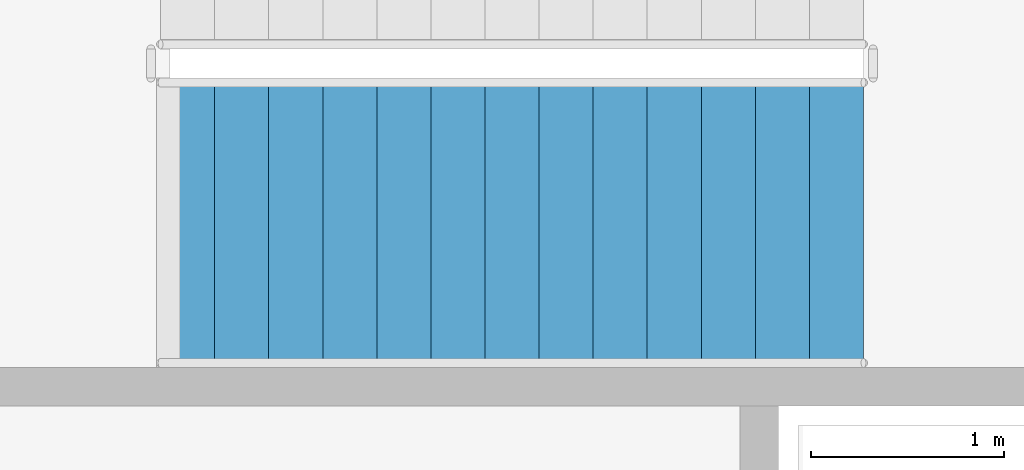
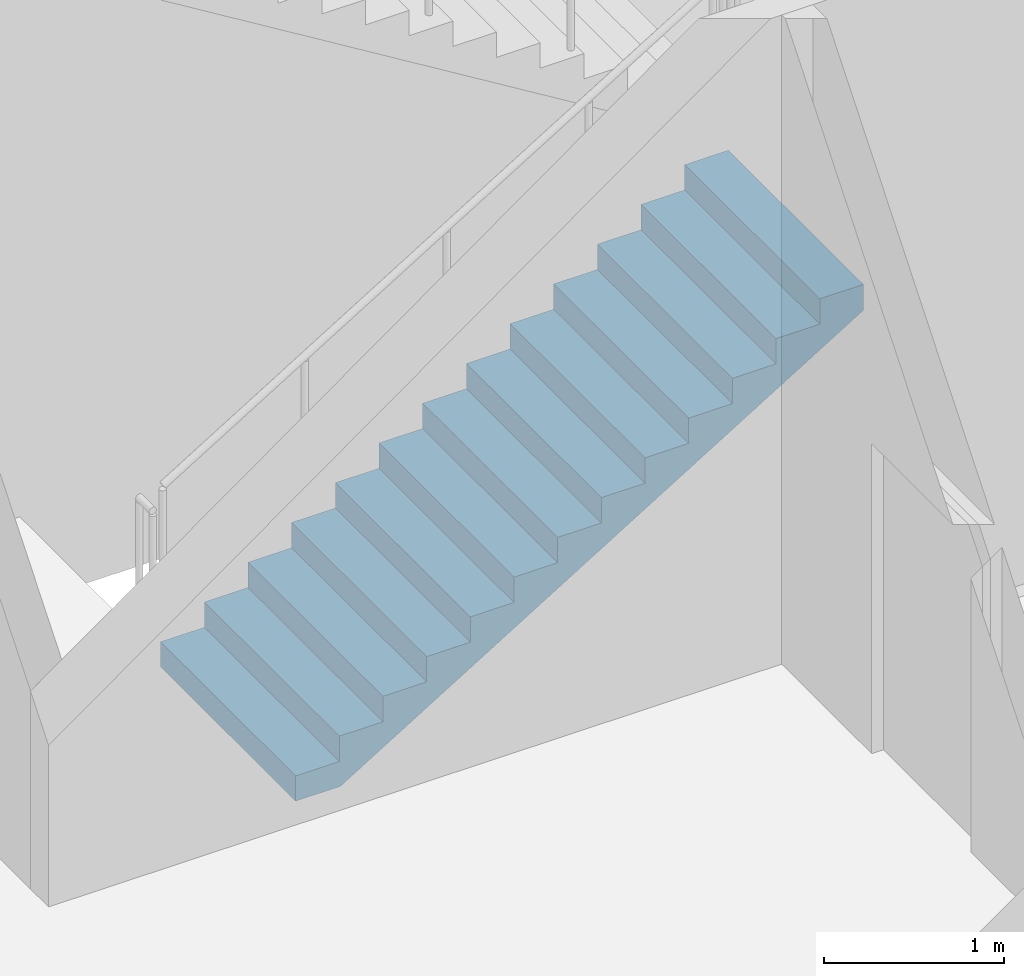
# One storey, part 61 of 91: 1 stair flight, 1 element without a shape of its own.
"""IFC4 building model written with IfcOpenShell, lengths in metres."""

from ifc_helpers import new_model, si_unit, direction, frame, origin, place, context, subcontext, project, spatial, triangles, material, type_object, element, aggregate, save


model = new_model("IFC4")

# Units and contexts
model_context = context("Model", 3, precision=1e-05, world=origin(), true_north=direction((0.0, 1.0)))
body_context = subcontext(model_context, "Body", "Model", "MODEL_VIEW")
ifc_project = project(units=[si_unit("LENGTHUNIT", "METRE"), si_unit("AREAUNIT", "SQUARE_METRE"), si_unit("VOLUMEUNIT", "CUBIC_METRE"), si_unit("PLANEANGLEUNIT", "RADIAN"), si_unit("MASSUNIT", "GRAM", prefix="KILO")], contexts=[model_context])

# Site, building, storey
site_placement = place(None, origin())
site = spatial("IfcSite", under=ifc_project, at=site_placement, CompositionType="ELEMENT")
building_placement = place(site_placement, origin())
building = spatial("IfcBuilding", under=site, at=building_placement, Name="Magnolia Steps Interchange", CompositionType="ELEMENT")
storey_placement = place(building_placement, origin())
storey = spatial("IfcBuildingStorey", under=building, at=storey_placement, Name="L00", CompositionType="ELEMENT", Elevation=0.0)

# Stair, stair flight
ifc_material_1 = material(Name="Concrete C40", Category="concrete")
stair_type = type_object("IfcStairType", Name="Exit stair 1500", PredefinedType="HALF_TURN_STAIR", material=ifc_material_1)
stair_placement = place(storey_placement, origin())
stair = element("IfcStair", 1, at=stair_placement, inside=storey, type_object=stair_type, Name="L00 Stair 7", PredefinedType="HALF_TURN_STAIR")
ifc_material_2 = material(Name="Concrete C40", Category="concrete")
stair_flight_type = type_object("IfcStairFlightType", Name="Exit stair flight", PredefinedType="STRAIGHT", material=ifc_material_2)
stair_flight_placement = place(storey_placement, frame((112.199951171875, 50.300048828125, 0.0), z_axis=(0.0, 0.0, 1.0), x_axis=(1.0, 0.0, 0.0)))
stair_flight = element("IfcStairFlight", 2, at=stair_flight_placement, type_object=stair_flight_type, Name="Stair 7 flight 1", NumberOfRisers=14, NumberOfTreads=13, PredefinedType="STRAIGHT", RiserHeight=0.171428571, TreadLength=0.28, context=body_context, shape_type="Tessellation", body=[
    triangles([(0.0, -0.75, 0.0), (0.287109375, -0.75, 0.0), (3.639892578125, -0.75, 2.052734375), (3.639892578125, -0.75, 2.228515625), (3.360107421875, -0.75, 2.228515625), (3.360107421875, -0.75, 2.05712890625), (3.080078125, -0.75, 2.05712890625), (3.080078125, -0.75, 1.8857421875), (2.800048828125, -0.75, 1.8857421875), (2.800048828125, -0.75, 1.71435546875), (2.52001953125, -0.75, 1.71435546875), (2.52001953125, -0.75, 1.54296875), (2.239990234375, -0.75, 1.54296875), (2.239990234375, -0.75, 1.371337890625), (1.9599609375, -0.75, 1.371337890625), (1.9599609375, -0.75, 1.199951171875), (1.679931640625, -0.75, 1.199951171875), (1.679931640625, -0.75, 1.028564453125), (1.39990234375, -0.75, 1.028564453125), (1.39990234375, -0.75, 0.857177734375), (1.1201171875, -0.75, 0.857177734375), (1.1201171875, -0.75, 0.685791015625), (0.840087890625, -0.75, 0.685791015625), (0.840087890625, -0.75, 0.514404296875), (0.56005859375, -0.75, 0.514404296875), (0.56005859375, -0.75, 0.3427734375), (0.280029296875, -0.75, 0.3427734375), (0.280029296875, -0.75, 0.17138671875), (0.0, -0.75, 0.17138671875), (0.0, 0.75, 0.0), (0.287109375, 0.75, 0.0), (3.639892578125, 0.75, 2.052734375), (3.639892578125, 0.75, 2.228515625), (3.360107421875, 0.75, 2.228515625), (3.360107421875, 0.75, 2.05712890625), (3.080078125, 0.75, 2.05712890625), (3.080078125, 0.75, 1.8857421875), (2.800048828125, 0.75, 1.8857421875), (2.800048828125, 0.75, 1.71435546875), (2.52001953125, 0.75, 1.71435546875), (2.52001953125, 0.75, 1.54296875), (2.239990234375, 0.75, 1.54296875), (2.239990234375, 0.75, 1.371337890625), (1.9599609375, 0.75, 1.371337890625), (1.9599609375, 0.75, 1.199951171875), (1.679931640625, 0.75, 1.199951171875), (1.679931640625, 0.75, 1.028564453125), (1.39990234375, 0.75, 1.028564453125), (1.39990234375, 0.75, 0.857177734375), (1.1201171875, 0.75, 0.857177734375), (1.1201171875, 0.75, 0.685791015625), (0.840087890625, 0.75, 0.685791015625), (0.840087890625, 0.75, 0.514404296875), (0.56005859375, 0.75, 0.514404296875), (0.56005859375, 0.75, 0.3427734375), (0.280029296875, 0.75, 0.3427734375), (0.280029296875, 0.75, 0.17138671875), (0.0, 0.75, 0.17138671875), (0.0, 0.0, 0.0), (0.0, 0.0, 0.0428466796875), (0.0, 0.0, 0.085693359375), (0.0, 0.0, 0.1285400390625), (0.0, 0.0, 0.17138671875), (0.0, -0.05, 0.0), (0.0, -0.05, 0.17138671875), (0.0, 0.05, 0.0), (0.0, 0.05, 0.17138671875), (0.046671549479166664, 0.0, 0.17138671875), (0.09334309895833333, 0.0, 0.17138671875), (0.1400146484375, 0.0, 0.17138671875), (0.18668619791666666, 0.0, 0.17138671875), (0.23335774739583334, 0.0, 0.17138671875), (0.280029296875, 0.0, 0.17138671875), (0.280029296875, -0.05, 0.17138671875), (0.280029296875, 0.05, 0.17138671875), (0.280029296875, 0.0, 0.2142333984375), (0.280029296875, 0.0, 0.257080078125), (0.280029296875, 0.0, 0.2999267578125), (0.280029296875, 0.0, 0.3427734375), (0.280029296875, -0.05, 0.3427734375), (0.280029296875, 0.05, 0.3427734375), (0.3267008463541667, 0.0, 0.3427734375), (0.3733723958333333, 0.0, 0.3427734375), (0.4200439453125, 0.0, 0.3427734375), (0.46671549479166663, 0.0, 0.3427734375), (0.5133870442708334, 0.0, 0.3427734375), (0.56005859375, 0.0, 0.3427734375), (0.56005859375, -0.05, 0.3427734375), (0.56005859375, 0.05, 0.3427734375), (0.56005859375, 0.0, 0.38568115234375), (0.56005859375, 0.0, 0.4285888671875), (0.56005859375, 0.0, 0.47149658203125), (0.56005859375, 0.0, 0.514404296875), (0.56005859375, -0.05, 0.514404296875), (0.56005859375, 0.05, 0.514404296875), (0.6067301432291666, 0.0, 0.514404296875), (0.6534016927083334, 0.0, 0.514404296875), (0.7000732421875, 0.0, 0.514404296875), (0.7467447916666666, 0.0, 0.514404296875), (0.7934163411458334, 0.0, 0.514404296875), (0.840087890625, 0.0, 0.514404296875), (0.840087890625, -0.05, 0.514404296875), (0.840087890625, 0.05, 0.514404296875), (0.840087890625, 0.0, 0.5572509765625), (0.840087890625, 0.0, 0.60009765625), (0.840087890625, 0.0, 0.6429443359375), (0.840087890625, 0.0, 0.685791015625), (0.840087890625, -0.05, 0.685791015625), (0.840087890625, 0.05, 0.685791015625), (0.8867594401041666, 0.0, 0.685791015625), (0.9334309895833334, 0.0, 0.685791015625), (0.9801025390625, 0.0, 0.685791015625), (1.0267740885416667, 0.0, 0.685791015625), (1.0734456380208333, 0.0, 0.685791015625), (1.1201171875, 0.0, 0.685791015625), (1.1201171875, -0.05, 0.685791015625), (1.1201171875, 0.05, 0.685791015625), (1.1201171875, 0.0, 0.7286376953125), (1.1201171875, 0.0, 0.771484375), (1.1201171875, 0.0, 0.8143310546875), (1.1201171875, 0.0, 0.857177734375), (1.1201171875, -0.05, 0.857177734375), (1.1201171875, 0.05, 0.857177734375), (1.1900634765625, 0.0, 0.857177734375), (1.260009765625, 0.0, 0.857177734375), (1.3299560546875, 0.0, 0.857177734375), (1.39990234375, 0.0, 0.857177734375), (1.39990234375, -0.05, 0.857177734375), (1.39990234375, 0.05, 0.857177734375), (1.39990234375, 0.0, 0.9000244140625), (1.39990234375, 0.0, 0.94287109375), (1.39990234375, 0.0, 0.9857177734375), (1.39990234375, 0.0, 1.028564453125), (1.39990234375, -0.05, 1.028564453125), (1.39990234375, 0.05, 1.028564453125), (1.4465738932291667, 0.0, 1.028564453125), (1.4932454427083333, 0.0, 1.028564453125), (1.5399169921875, 0.0, 1.028564453125), (1.5865885416666667, 0.0, 1.028564453125), (1.6332600911458333, 0.0, 1.028564453125), (1.679931640625, 0.0, 1.028564453125), (1.679931640625, -0.05, 1.028564453125), (1.679931640625, 0.05, 1.028564453125), (1.679931640625, 0.0, 1.0714111328125), (1.679931640625, 0.0, 1.1142578125), (1.679931640625, 0.0, 1.1571044921875), (1.679931640625, 0.0, 1.199951171875), (1.679931640625, -0.05, 1.199951171875), (1.679931640625, 0.05, 1.199951171875), (1.7266031901041667, 0.0, 1.199951171875), (1.7732747395833333, 0.0, 1.199951171875), (1.8199462890625, 0.0, 1.199951171875), (1.8666178385416667, 0.0, 1.199951171875), (1.9132893880208333, 0.0, 1.199951171875), (1.9599609375, 0.0, 1.199951171875), (1.9599609375, -0.05, 1.199951171875), (1.9599609375, 0.05, 1.199951171875), (1.9599609375, 0.0, 1.2427978515625), (1.9599609375, 0.0, 1.28564453125), (1.9599609375, 0.0, 1.3284912109375), (1.9599609375, 0.0, 1.371337890625), (1.9599609375, -0.05, 1.371337890625), (1.9599609375, 0.05, 1.371337890625), (2.0066324869791665, 0.0, 1.371337890625), (2.0533040364583335, 0.0, 1.371337890625), (2.0999755859375, 0.0, 1.371337890625), (2.1466471354166665, 0.0, 1.371337890625), (2.1933186848958335, 0.0, 1.371337890625), (2.239990234375, 0.0, 1.371337890625), (2.239990234375, -0.05, 1.371337890625), (2.239990234375, 0.05, 1.371337890625), (2.239990234375, 0.0, 1.41424560546875), (2.239990234375, 0.0, 1.4571533203125), (2.239990234375, 0.0, 1.50006103515625), (2.239990234375, 0.0, 1.54296875), (2.239990234375, -0.05, 1.54296875), (2.239990234375, 0.05, 1.54296875), (2.2866617838541665, 0.0, 1.54296875), (2.3333333333333335, 0.0, 1.54296875), (2.3800048828125, 0.0, 1.54296875), (2.4266764322916665, 0.0, 1.54296875), (2.4733479817708335, 0.0, 1.54296875), (2.52001953125, 0.0, 1.54296875), (2.52001953125, -0.05, 1.54296875), (2.52001953125, 0.05, 1.54296875), (2.52001953125, 0.0, 1.5858154296875), (2.52001953125, 0.0, 1.628662109375), (2.52001953125, 0.0, 1.6715087890625), (2.52001953125, 0.0, 1.71435546875), (2.52001953125, -0.05, 1.71435546875), (2.52001953125, 0.05, 1.71435546875), (2.5666910807291665, 0.0, 1.71435546875), (2.6133626302083335, 0.0, 1.71435546875), (2.6600341796875, 0.0, 1.71435546875), (2.7067057291666665, 0.0, 1.71435546875), (2.7533772786458335, 0.0, 1.71435546875), (2.800048828125, 0.0, 1.71435546875), (2.800048828125, -0.05, 1.71435546875), (2.800048828125, 0.05, 1.71435546875), (2.800048828125, 0.0, 1.7572021484375), (2.800048828125, 0.0, 1.800048828125), (2.800048828125, 0.0, 1.8428955078125), (2.800048828125, 0.0, 1.8857421875), (2.800048828125, -0.05, 1.8857421875), (2.800048828125, 0.05, 1.8857421875), (2.8467203776041665, 0.0, 1.8857421875), (2.8933919270833335, 0.0, 1.8857421875), (2.9400634765625, 0.0, 1.8857421875), (2.9867350260416665, 0.0, 1.8857421875), (3.0334065755208335, 0.0, 1.8857421875), (3.080078125, 0.0, 1.8857421875), (3.080078125, -0.05, 1.8857421875), (3.080078125, 0.05, 1.8857421875), (3.080078125, 0.0, 1.9285888671875), (3.080078125, 0.0, 1.971435546875), (3.080078125, 0.0, 2.0142822265625), (3.080078125, 0.0, 2.05712890625), (3.080078125, -0.05, 2.05712890625), (3.080078125, 0.05, 2.05712890625), (3.1267496744791665, 0.0, 2.05712890625), (3.1734212239583335, 0.0, 2.05712890625), (3.2200927734375, 0.0, 2.05712890625), (3.2667643229166665, 0.0, 2.05712890625), (3.3134358723958335, 0.0, 2.05712890625), (3.360107421875, 0.0, 2.05712890625), (3.360107421875, -0.05, 2.05712890625), (3.360107421875, 0.05, 2.05712890625), (3.360107421875, 0.0, 2.0999755859375), (3.360107421875, 0.0, 2.142822265625), (3.360107421875, 0.0, 2.1856689453125), (3.360107421875, 0.0, 2.228515625), (3.360107421875, -0.05, 2.228515625), (3.360107421875, 0.05, 2.228515625), (3.4300537109375, 0.0, 2.228515625), (3.5, 0.0, 2.228515625), (3.5699462890625, 0.0, 2.228515625), (3.639892578125, 0.0, 2.228515625), (3.639892578125, -0.05, 2.228515625), (3.639892578125, 0.05, 2.228515625), (3.639892578125, 0.0, 2.1845703125), (3.639892578125, 0.0, 2.140625), (3.639892578125, 0.0, 2.0966796875), (3.639892578125, 0.0, 2.052734375), (3.639892578125, -0.05, 2.052734375), (3.639892578125, 0.05, 2.052734375), (3.582085971174569, 0.0, 2.0173424030172415), (3.524279364224138, 0.0, 1.9819504310344827), (3.466472757273707, 0.0, 1.9465584590517242), (3.408666150323276, 0.0, 1.9111664870689655), (3.3508595433728448, 0.0, 1.8757745150862069), (3.2930529364224137, 0.0, 1.8403825431034484), (3.2352463294719827, 0.0, 1.8049905711206897), (3.1774397225215516, 0.0, 1.769598599137931), (3.1196331155711206, 0.0, 1.7342066271551724), (3.0618265086206895, 0.0, 1.6988146551724137), (3.004019901670259, 0.0, 1.6634226831896552), (2.9462132947198274, 0.0, 1.6280307112068966), (2.888406687769397, 0.0, 1.592638739224138), (2.8306000808189653, 0.0, 1.5572467672413794), (2.7727934738685347, 0.0, 1.5218547952586206), (2.714986866918103, 0.0, 1.486462823275862), (2.6571802599676726, 0.0, 1.4510708512931034), (2.599373653017241, 0.0, 1.4156788793103448), (2.5415670460668105, 0.0, 1.3802869073275863), (2.483760439116379, 0.0, 1.3448949353448276), (2.4259538321659484, 0.0, 1.309502963362069), (2.3681472252155173, 0.0, 1.2741109913793105), (2.3103406182650863, 0.0, 1.2387190193965516), (2.2525340113146552, 0.0, 1.2033270474137931), (2.194727404364224, 0.0, 1.1679350754310345), (2.136920797413793, 0.0, 1.1325431034482758), (2.079114190463362, 0.0, 1.0971511314655173), (2.021307583512931, 0.0, 1.0617591594827587), (1.9635009765625, 0.0, 1.0263671875), (1.905694369612069, 0.0, 0.9909752155172413), (1.847887762661638, 0.0, 0.9555832435344827), (1.7900811557112069, 0.0, 0.9201912715517242), (1.7322745487607758, 0.0, 0.8847992995689655), (1.6744679418103448, 0.0, 0.8494073275862069), (1.6166613348599137, 0.0, 0.8140153556034482), (1.5588547279094827, 0.0, 0.7786233836206897), (1.5010481209590516, 0.0, 0.743231411637931), (1.4432415140086206, 0.0, 0.7078394396551724), (1.3854349070581895, 0.0, 0.6724474676724137), (1.3276283001077585, 0.0, 0.6370554956896552), (1.2698216931573274, 0.0, 0.6016635237068966), (1.2120150862068964, 0.0, 0.5662715517241379), (1.1542084792564653, 0.0, 0.5308795797413792), (1.0964018723060347, 0.0, 0.4954876077586208), (1.0385952653556036, 0.0, 0.4600956357758621), (0.9807886584051726, 0.0, 0.4247036637931034), (0.9229820514547415, 0.0, 0.38931169181034475), (0.8651754445043105, 0.0, 0.3539197198275863), (0.8073688375538794, 0.0, 0.3185277478448276), (0.7495622306034484, 0.0, 0.28313577586206895), (0.6917556236530173, 0.0, 0.24774380387931028), (0.6339490167025863, 0.0, 0.21235183189655182), (0.5761424097521552, 0.0, 0.17695985991379315), (0.5183358028017242, 0.0, 0.14156788793103448), (0.46052919585129315, 0.0, 0.1061759159482758), (0.4027225889008621, 0.0, 0.07078394396551735), (0.34491598195043105, 0.0, 0.03539197198275845), (0.287109375, 0.0, 0.0), (0.287109375, -0.05, 0.0), (0.287109375, 0.05, 0.0), (0.2392578125, 0.0, 0.0), (0.19140625, 0.0, 0.0), (0.1435546875, 0.0, 0.0), (0.095703125, 0.0, 0.0), (0.0478515625, 0.0, 0.0)], [[1, 2, 3], [3, 4, 5], [3, 5, 6], [3, 6, 7], [3, 7, 8], [8, 9, 10], [3, 8, 10], [10, 11, 12], [3, 10, 12], [12, 13, 14], [3, 12, 14], [14, 15, 16], [3, 14, 16], [16, 17, 18], [3, 16, 18], [18, 19, 20], [3, 18, 20], [20, 21, 22], [3, 20, 22], [22, 23, 24], [3, 22, 24], [24, 25, 26], [3, 24, 26], [26, 27, 28], [3, 26, 28], [1, 3, 28], [28, 29, 1], [30, 32, 31], [32, 34, 33], [32, 35, 34], [32, 36, 35], [32, 37, 36], [37, 39, 38], [32, 39, 37], [39, 41, 40], [32, 41, 39], [41, 43, 42], [32, 43, 41], [43, 45, 44], [32, 45, 43], [45, 47, 46], [32, 47, 45], [47, 49, 48], [32, 49, 47], [49, 51, 50], [32, 51, 49], [51, 53, 52], [32, 53, 51], [53, 55, 54], [32, 55, 53], [55, 57, 56], [32, 57, 55], [30, 57, 32], [57, 30, 58], [1, 29, 65], [1, 65, 64], [64, 60, 59], [64, 61, 60], [64, 65, 61], [65, 62, 61], [65, 63, 62], [30, 67, 58], [30, 66, 67], [66, 59, 60], [66, 60, 61], [66, 61, 67], [67, 61, 62], [67, 62, 63], [29, 28, 74], [29, 74, 65], [65, 68, 63], [65, 69, 68], [65, 70, 69], [65, 74, 70], [74, 71, 70], [74, 72, 71], [74, 73, 72], [58, 75, 57], [58, 67, 75], [67, 63, 68], [67, 68, 69], [67, 69, 70], [67, 70, 75], [75, 70, 71], [75, 71, 72], [75, 72, 73], [28, 27, 80], [28, 80, 74], [74, 76, 73], [74, 77, 76], [74, 80, 77], [80, 78, 77], [80, 79, 78], [57, 81, 56], [57, 75, 81], [75, 73, 76], [75, 76, 77], [75, 77, 81], [81, 77, 78], [81, 78, 79], [27, 26, 88], [27, 88, 80], [80, 82, 79], [80, 83, 82], [80, 84, 83], [80, 88, 84], [88, 85, 84], [88, 86, 85], [88, 87, 86], [56, 89, 55], [56, 81, 89], [81, 79, 82], [81, 82, 83], [81, 83, 84], [81, 84, 89], [89, 84, 85], [89, 85, 86], [89, 86, 87], [26, 25, 94], [26, 94, 88], [88, 90, 87], [88, 91, 90], [88, 94, 91], [94, 92, 91], [94, 93, 92], [55, 95, 54], [55, 89, 95], [89, 87, 90], [89, 90, 91], [89, 91, 95], [95, 91, 92], [95, 92, 93], [25, 24, 102], [25, 102, 94], [94, 96, 93], [94, 97, 96], [94, 98, 97], [94, 102, 98], [102, 99, 98], [102, 100, 99], [102, 101, 100], [54, 103, 53], [54, 95, 103], [95, 93, 96], [95, 96, 97], [95, 97, 98], [95, 98, 103], [103, 98, 99], [103, 99, 100], [103, 100, 101], [24, 23, 108], [24, 108, 102], [102, 104, 101], [102, 105, 104], [102, 108, 105], [108, 106, 105], [108, 107, 106], [53, 109, 52], [53, 103, 109], [103, 101, 104], [103, 104, 105], [103, 105, 109], [109, 105, 106], [109, 106, 107], [23, 22, 116], [23, 116, 108], [108, 110, 107], [108, 111, 110], [108, 112, 111], [108, 116, 112], [116, 113, 112], [116, 114, 113], [116, 115, 114], [52, 117, 51], [52, 109, 117], [109, 107, 110], [109, 110, 111], [109, 111, 112], [109, 112, 117], [117, 112, 113], [117, 113, 114], [117, 114, 115], [22, 21, 122], [22, 122, 116], [116, 118, 115], [116, 119, 118], [116, 122, 119], [122, 120, 119], [122, 121, 120], [51, 123, 50], [51, 117, 123], [117, 115, 118], [117, 118, 119], [117, 119, 123], [123, 119, 120], [123, 120, 121], [21, 20, 128], [21, 128, 122], [122, 124, 121], [122, 125, 124], [122, 128, 125], [128, 126, 125], [128, 127, 126], [50, 129, 49], [50, 123, 129], [123, 121, 124], [123, 124, 125], [123, 125, 129], [129, 125, 126], [129, 126, 127], [20, 19, 134], [20, 134, 128], [128, 130, 127], [128, 131, 130], [128, 134, 131], [134, 132, 131], [134, 133, 132], [49, 135, 48], [49, 129, 135], [129, 127, 130], [129, 130, 131], [129, 131, 135], [135, 131, 132], [135, 132, 133], [19, 18, 142], [19, 142, 134], [134, 136, 133], [134, 137, 136], [134, 138, 137], [134, 142, 138], [142, 139, 138], [142, 140, 139], [142, 141, 140], [48, 143, 47], [48, 135, 143], [135, 133, 136], [135, 136, 137], [135, 137, 138], [135, 138, 143], [143, 138, 139], [143, 139, 140], [143, 140, 141], [18, 17, 148], [18, 148, 142], [142, 144, 141], [142, 145, 144], [142, 148, 145], [148, 146, 145], [148, 147, 146], [47, 149, 46], [47, 143, 149], [143, 141, 144], [143, 144, 145], [143, 145, 149], [149, 145, 146], [149, 146, 147], [17, 16, 156], [17, 156, 148], [148, 150, 147], [148, 151, 150], [148, 152, 151], [148, 156, 152], [156, 153, 152], [156, 154, 153], [156, 155, 154], [46, 157, 45], [46, 149, 157], [149, 147, 150], [149, 150, 151], [149, 151, 152], [149, 152, 157], [157, 152, 153], [157, 153, 154], [157, 154, 155], [16, 15, 162], [16, 162, 156], [156, 158, 155], [156, 159, 158], [156, 162, 159], [162, 160, 159], [162, 161, 160], [45, 163, 44], [45, 157, 163], [157, 155, 158], [157, 158, 159], [157, 159, 163], [163, 159, 160], [163, 160, 161], [15, 14, 170], [15, 170, 162], [162, 164, 161], [162, 165, 164], [162, 166, 165], [162, 170, 166], [170, 167, 166], [170, 168, 167], [170, 169, 168], [44, 171, 43], [44, 163, 171], [163, 161, 164], [163, 164, 165], [163, 165, 166], [163, 166, 171], [171, 166, 167], [171, 167, 168], [171, 168, 169], [14, 13, 176], [14, 176, 170], [170, 172, 169], [170, 173, 172], [170, 176, 173], [176, 174, 173], [176, 175, 174], [43, 177, 42], [43, 171, 177], [171, 169, 172], [171, 172, 173], [171, 173, 177], [177, 173, 174], [177, 174, 175], [13, 12, 184], [13, 184, 176], [176, 178, 175], [176, 179, 178], [176, 180, 179], [176, 184, 180], [184, 181, 180], [184, 182, 181], [184, 183, 182], [42, 185, 41], [42, 177, 185], [177, 175, 178], [177, 178, 179], [177, 179, 180], [177, 180, 185], [185, 180, 181], [185, 181, 182], [185, 182, 183], [12, 11, 190], [12, 190, 184], [184, 186, 183], [184, 187, 186], [184, 190, 187], [190, 188, 187], [190, 189, 188], [41, 191, 40], [41, 185, 191], [185, 183, 186], [185, 186, 187], [185, 187, 191], [191, 187, 188], [191, 188, 189], [11, 10, 198], [11, 198, 190], [190, 192, 189], [190, 193, 192], [190, 194, 193], [190, 198, 194], [198, 195, 194], [198, 196, 195], [198, 197, 196], [40, 199, 39], [40, 191, 199], [191, 189, 192], [191, 192, 193], [191, 193, 194], [191, 194, 199], [199, 194, 195], [199, 195, 196], [199, 196, 197], [10, 9, 204], [10, 204, 198], [198, 200, 197], [198, 201, 200], [198, 204, 201], [204, 202, 201], [204, 203, 202], [39, 205, 38], [39, 199, 205], [199, 197, 200], [199, 200, 201], [199, 201, 205], [205, 201, 202], [205, 202, 203], [9, 8, 212], [9, 212, 204], [204, 206, 203], [204, 207, 206], [204, 208, 207], [204, 212, 208], [212, 209, 208], [212, 210, 209], [212, 211, 210], [38, 213, 37], [38, 205, 213], [205, 203, 206], [205, 206, 207], [205, 207, 208], [205, 208, 213], [213, 208, 209], [213, 209, 210], [213, 210, 211], [8, 7, 218], [8, 218, 212], [212, 214, 211], [212, 215, 214], [212, 218, 215], [218, 216, 215], [218, 217, 216], [37, 219, 36], [37, 213, 219], [213, 211, 214], [213, 214, 215], [213, 215, 219], [219, 215, 216], [219, 216, 217], [7, 6, 226], [7, 226, 218], [218, 220, 217], [218, 221, 220], [218, 222, 221], [218, 226, 222], [226, 223, 222], [226, 224, 223], [226, 225, 224], [36, 227, 35], [36, 219, 227], [219, 217, 220], [219, 220, 221], [219, 221, 222], [219, 222, 227], [227, 222, 223], [227, 223, 224], [227, 224, 225], [6, 5, 232], [6, 232, 226], [226, 228, 225], [226, 229, 228], [226, 232, 229], [232, 230, 229], [232, 231, 230], [35, 233, 34], [35, 227, 233], [227, 225, 228], [227, 228, 229], [227, 229, 233], [233, 229, 230], [233, 230, 231], [5, 4, 238], [5, 238, 232], [232, 234, 231], [232, 235, 234], [232, 238, 235], [238, 236, 235], [238, 237, 236], [34, 239, 33], [34, 233, 239], [233, 231, 234], [233, 234, 235], [233, 235, 239], [239, 235, 236], [239, 236, 237], [4, 3, 244], [4, 244, 238], [238, 240, 237], [238, 241, 240], [238, 244, 241], [244, 242, 241], [244, 243, 242], [33, 245, 32], [33, 239, 245], [239, 237, 240], [239, 240, 241], [239, 241, 245], [245, 241, 242], [245, 242, 243], [3, 2, 304], [3, 304, 244], [244, 246, 243], [244, 247, 246], [244, 248, 247], [244, 249, 248], [244, 250, 249], [244, 251, 250], [244, 252, 251], [244, 253, 252], [244, 254, 253], [244, 255, 254], [244, 256, 255], [244, 257, 256], [244, 258, 257], [244, 259, 258], [244, 260, 259], [244, 261, 260], [244, 262, 261], [244, 263, 262], [244, 264, 263], [244, 265, 264], [244, 266, 265], [244, 267, 266], [244, 268, 267], [244, 269, 268], [244, 270, 269], [244, 271, 270], [244, 272, 271], [244, 273, 272], [244, 274, 273], [244, 304, 274], [304, 275, 274], [304, 276, 275], [304, 277, 276], [304, 278, 277], [304, 279, 278], [304, 280, 279], [304, 281, 280], [304, 282, 281], [304, 283, 282], [304, 284, 283], [304, 285, 284], [304, 286, 285], [304, 287, 286], [304, 288, 287], [304, 289, 288], [304, 290, 289], [304, 291, 290], [304, 292, 291], [304, 293, 292], [304, 294, 293], [304, 295, 294], [304, 296, 295], [304, 297, 296], [304, 298, 297], [304, 299, 298], [304, 300, 299], [304, 301, 300], [304, 302, 301], [304, 303, 302], [32, 305, 31], [32, 245, 305], [245, 243, 246], [245, 246, 247], [245, 247, 248], [245, 248, 249], [245, 249, 250], [245, 250, 251], [245, 251, 252], [245, 252, 253], [245, 253, 254], [245, 254, 255], [245, 255, 256], [245, 256, 257], [245, 257, 258], [245, 258, 259], [245, 259, 260], [245, 260, 261], [245, 261, 262], [245, 262, 263], [245, 263, 264], [245, 264, 265], [245, 265, 266], [245, 266, 267], [245, 267, 268], [245, 268, 269], [245, 269, 270], [245, 270, 271], [245, 271, 272], [245, 272, 273], [245, 273, 274], [245, 274, 305], [305, 274, 275], [305, 275, 276], [305, 276, 277], [305, 277, 278], [305, 278, 279], [305, 279, 280], [305, 280, 281], [305, 281, 282], [305, 282, 283], [305, 283, 284], [305, 284, 285], [305, 285, 286], [305, 286, 287], [305, 287, 288], [305, 288, 289], [305, 289, 290], [305, 290, 291], [305, 291, 292], [305, 292, 293], [305, 293, 294], [305, 294, 295], [305, 295, 296], [305, 296, 297], [305, 297, 298], [305, 298, 299], [305, 299, 300], [305, 300, 301], [305, 301, 302], [305, 302, 303], [2, 1, 64], [2, 64, 304], [304, 306, 303], [304, 307, 306], [304, 308, 307], [304, 64, 308], [64, 309, 308], [64, 310, 309], [64, 59, 310], [31, 66, 30], [31, 305, 66], [305, 303, 306], [305, 306, 307], [305, 307, 308], [305, 308, 66], [66, 308, 309], [66, 309, 310], [66, 310, 59]], closed=True),
])
aggregate(stair, [stair_flight])

save(model, "model.ifc")
